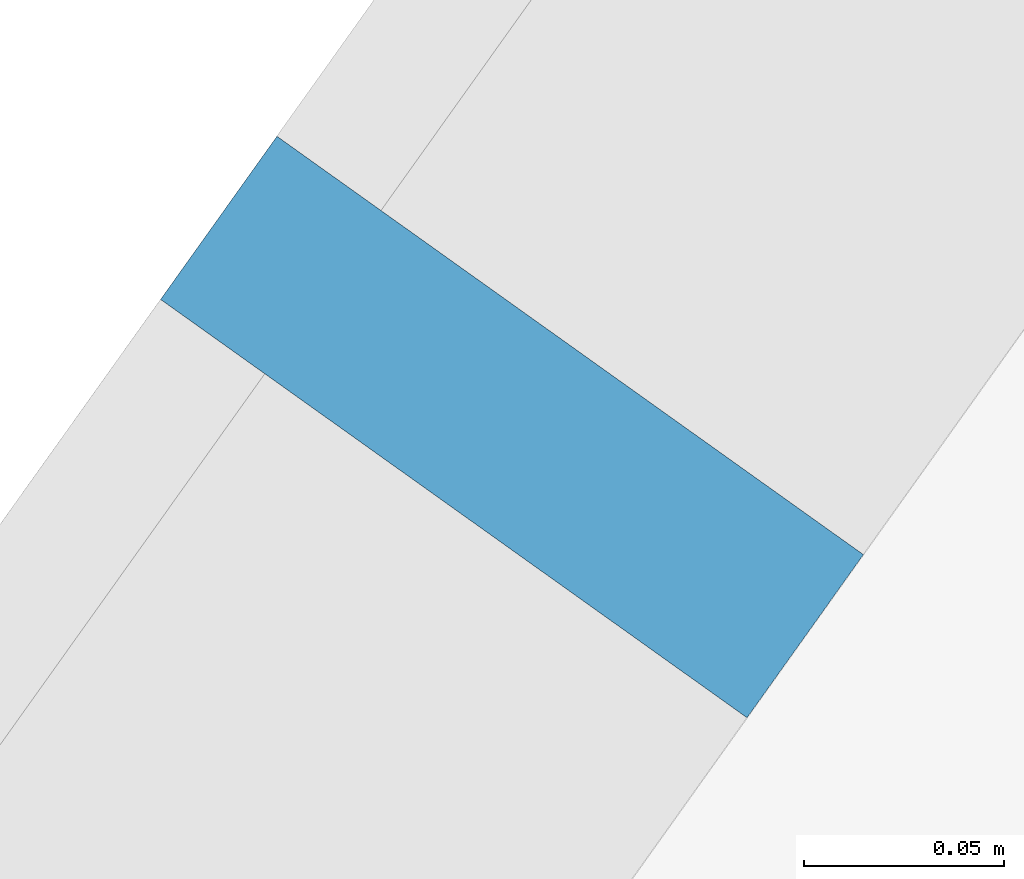
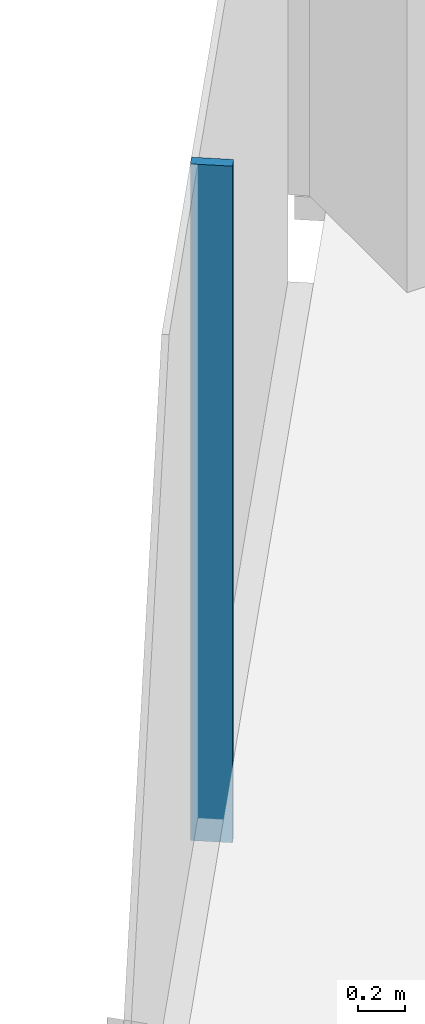
# One storey, part 4 of 31: 1 member, 1 element without a shape of its own.
"""IFC4 building model written with IfcOpenShell, lengths in metres."""

from ifc_helpers import new_model, si_unit, direction, frame, origin, origin_2d, place, context, subcontext, project, spatial, rectangle, extrude, material, material_profile, profile_set, type_object, element, aggregate, save


model = new_model("IFC4")

# Units and contexts
model_context = context("Model", 3, precision=1e-05, world=origin(), true_north=direction((0.0, 1.0)))
body_context = subcontext(model_context, "Body", "Model", "MODEL_VIEW")
ifc_project = project(units=[si_unit("LENGTHUNIT", "METRE"), si_unit("AREAUNIT", "SQUARE_METRE"), si_unit("VOLUMEUNIT", "CUBIC_METRE"), si_unit("PLANEANGLEUNIT", "RADIAN"), si_unit("MASSUNIT", "GRAM", prefix="KILO")], contexts=[model_context])

# Site, building, storey
site_placement = place(None, origin())
site = spatial("IfcSite", under=ifc_project, at=site_placement, CompositionType="ELEMENT")
building_placement = place(site_placement, origin())
building = spatial("IfcBuilding", under=site, at=building_placement, Name="Orlundy Tower", CompositionType="ELEMENT")
storey_placement = place(building_placement, frame((0.0, 0.0, 87.699951171875)))
storey = spatial("IfcBuildingStorey", under=building, at=storey_placement, Name="L21", CompositionType="ELEMENT", Elevation=87.699951171875)

# Curtain wall, member
ifc_material_1 = material(Name="Aluminium bronze anodised", Category="aluminium")
curtain_wall_type = type_object("IfcCurtainWallType", Name="CW1 wall", PredefinedType="NOTDEFINED", material=ifc_material_1)
curtain_wall_placement = place(storey_placement, origin())
curtain_wall = element("IfcCurtainWall", 1, at=curtain_wall_placement, inside=storey, type_object=curtain_wall_type, Name="CW1 run 00", PredefinedType="NOTDEFINED")
ifc_material_2 = material(Name="Aluminium bronze anodised", Category="aluminium")
ifc_material_profile = material_profile(ifc_material_2, rectangle(XDim=0.179931640625, YDim=0.050048828125, at=origin_2d()), Name="CW1 mullion 50x180")
ifc_profile_set = profile_set([ifc_material_profile], Name="Aluminium bronze anodised")
member_type = type_object("IfcMemberType", Name="CW1 mullion 50x180", PredefinedType="MULLION", material=ifc_profile_set)
member_placement = place(storey_placement, frame((-43.209716796875, -25.982177734375, -0.39990234375), z_axis=(0.0, 0.0, 1.0), x_axis=(-0.814116921316, 0.580700988829, 0.0)))
member = element("IfcMember", 2, at=member_placement, type_object=member_type, Name="CW1 mullion 2", PredefinedType="MULLION", context=body_context, shape_type="SweptSolid", body=[
    extrude(rectangle(XDim=0.179931640625, YDim=0.050048828125, at=origin_2d()), origin(), (0.0, 0.0, 1.0), 3.5),
])
aggregate(curtain_wall, [member])

save(model, "model.ifc")
